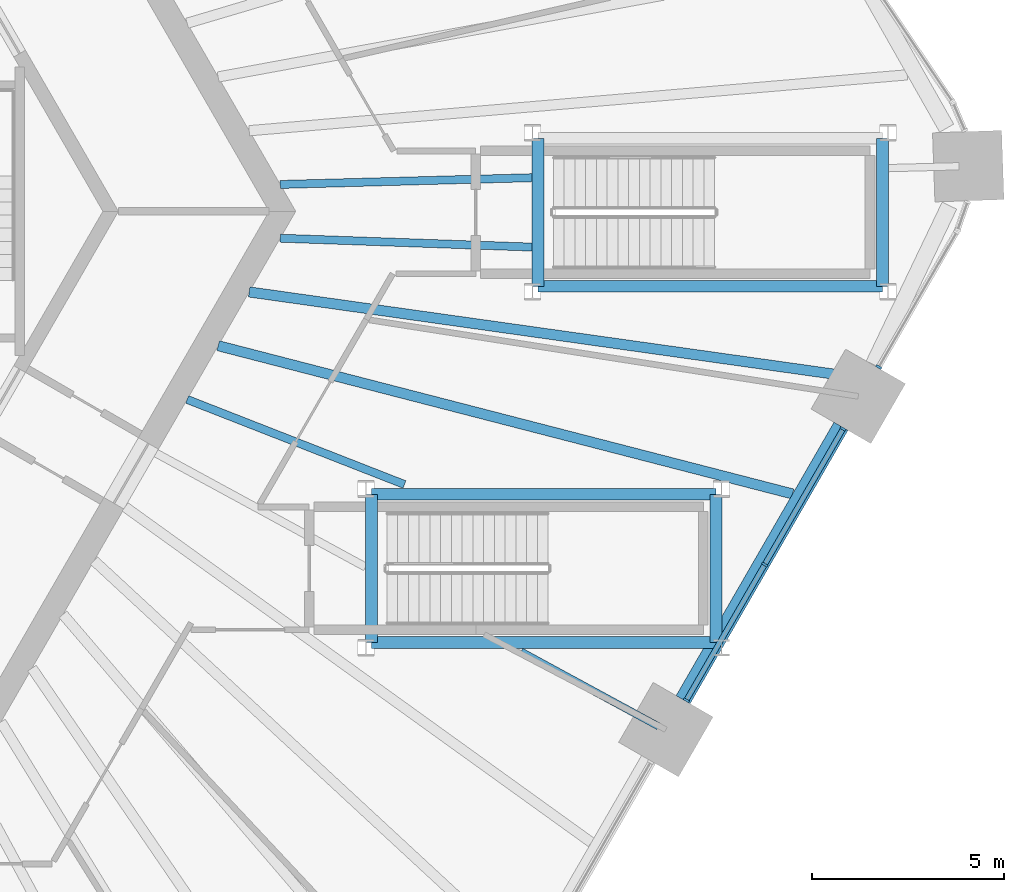
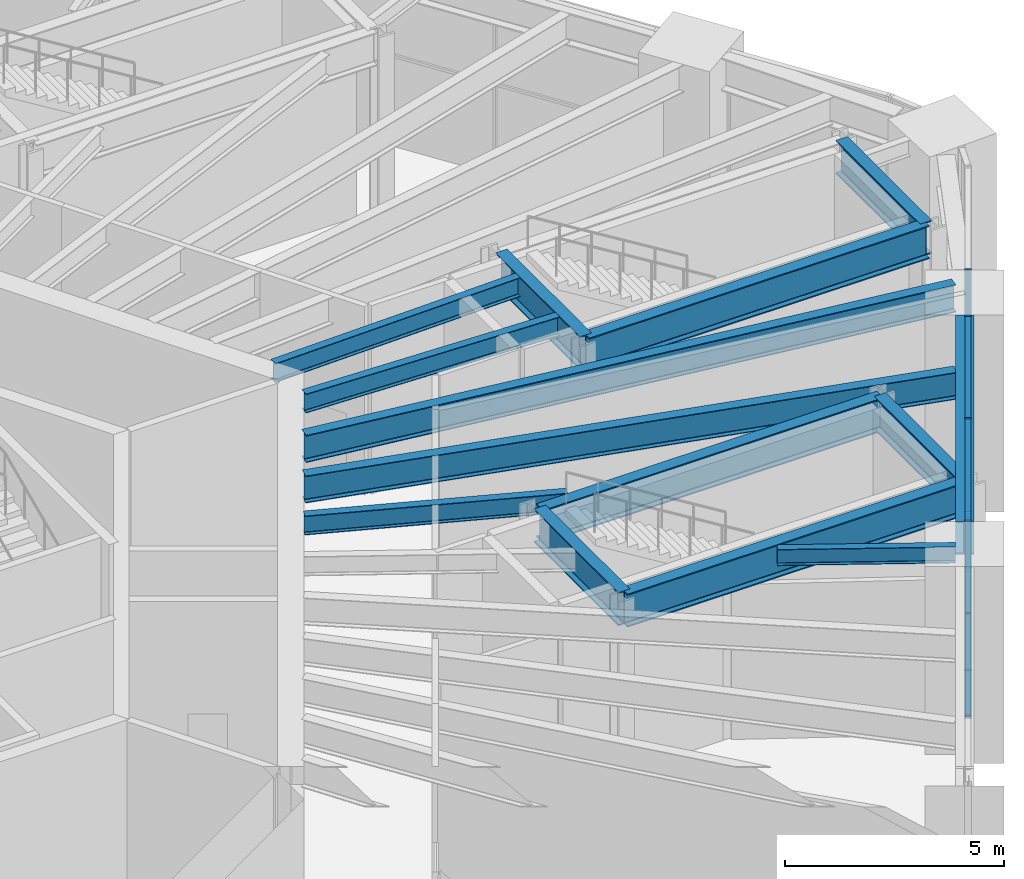
# One storey, part 6 of 30: 14 beams, 8 members, 2 elements without a shape of their own.
"""IFC4 building model written with IfcOpenShell, lengths in metres."""

from ifc_helpers import new_model, si_unit, direction, frame, origin, origin_2d, place, context, subcontext, project, spatial, rectangle, i_section, extrude, material, material_profile, profile_set, type_object, element, aggregate, save


model = new_model("IFC4")

# Units and contexts
model_context = context("Model", 3, precision=1e-05, world=origin(), true_north=direction((0.0, 1.0)))
body_context = subcontext(model_context, "Body", "Model", "MODEL_VIEW")
ifc_project = project(units=[si_unit("LENGTHUNIT", "METRE"), si_unit("AREAUNIT", "SQUARE_METRE"), si_unit("VOLUMEUNIT", "CUBIC_METRE"), si_unit("PLANEANGLEUNIT", "RADIAN"), si_unit("MASSUNIT", "GRAM", prefix="KILO")], contexts=[model_context])

# Site, building, storey
site_placement = place(None, origin())
site = spatial("IfcSite", under=ifc_project, at=site_placement, CompositionType="ELEMENT")
building_placement = place(site_placement, origin())
building = spatial("IfcBuilding", under=site, at=building_placement, Name="Tarnside Tower", CompositionType="ELEMENT")
storey_placement = place(building_placement, frame((0.0, 0.0, 15.0)))
storey = spatial("IfcBuildingStorey", under=building, at=storey_placement, Name="L02", CompositionType="ELEMENT", Elevation=15.0)

# Beams
ifc_material_1 = material(Name="Steel S355", Category="steel")
ifc_material_profile_1 = material_profile(ifc_material_1, i_section(OverallWidth=0.18994140625, OverallDepth=0.453369140625, WebThickness=0.008544921875, FlangeThickness=0.0126953125, FilletRadius=0.01025390625, at=origin_2d()), Name="UB 457x191x67")
ifc_profile_set_1 = profile_set([ifc_material_profile_1], Name="Steel S355")
beam_type_1 = type_object("IfcBeamType", Name="Floor beam UB 457x191x67", PredefinedType="BEAM", material=ifc_profile_set_1)
beam_1_placement = place(storey_placement, frame((25.614013671875, -13.41455078125, 5.023193359375), z_axis=(-0.878558909546, 0.477634004712, 0.0), x_axis=(-0.477634004712, -0.878558909546, 0.0)))
element("IfcBeam", 1, at=beam_1_placement, inside=storey, type_object=beam_type_1, Name="Floor beam F5.05a", PredefinedType="BEAM", context=body_context, shape_type="SweptSolid", body=[
    extrude(i_section(OverallWidth=0.18994140625, OverallDepth=0.453369140625, WebThickness=0.008544921875, FlangeThickness=0.0126953125, FilletRadius=0.01025390625, at=origin_2d()), origin(), (0.0, 0.0, 1.0), 4.07373046875),
])
ifc_material_profile_2 = material_profile(ifc_material_1, i_section(OverallWidth=0.209228515625, OverallDepth=0.533203125, WebThickness=0.010009765625, FlangeThickness=0.015625, FilletRadius=0.0126953125, at=origin_2d()), Name="UB 533x210x92")
ifc_profile_set_2 = profile_set([ifc_material_profile_2], Name="Steel S355")
beam_type_2 = type_object("IfcBeamType", Name="Floor beam UB 533x210x92", PredefinedType="BEAM", material=ifc_profile_set_2)
beam_2_placement = place(storey_placement, frame((18.997802734375, -7.115234375, 4.9833984375), z_axis=(-0.931231520791, 0.364428120053, 0.0), x_axis=(-0.364428120053, -0.931231520791, 0.0)))
element("IfcBeam", 2, at=beam_2_placement, inside=storey, type_object=beam_type_2, Name="Floor beam F5.06", PredefinedType="BEAM", context=body_context, shape_type="SweptSolid", body=[
    extrude(i_section(OverallWidth=0.209228515625, OverallDepth=0.533203125, WebThickness=0.010009765625, FlangeThickness=0.015625, FilletRadius=0.0126953125, at=origin_2d()), origin(), (0.0, 0.0, 1.0), 6.078857421875),
])
beam_3_placement = place(storey_placement, frame((22.322265625, -0.931396484375, 4.9833984375), z_axis=(-0.999378299025, 0.035256424065, 0.0), x_axis=(-0.035256424065, -0.999378299025, 0.0)))
element("IfcBeam", 3, at=beam_3_placement, inside=storey, type_object=beam_type_2, Name="Floor beam F5.09", PredefinedType="BEAM", context=body_context, shape_type="SweptSolid", body=[
    extrude(i_section(OverallWidth=0.209228515625, OverallDepth=0.533203125, WebThickness=0.010009765625, FlangeThickness=0.015625, FilletRadius=0.0126953125, at=origin_2d()), origin(), (0.0, 0.0, 1.0), 6.564697265625),
])
beam_4_placement = place(storey_placement, frame((22.322265625, 0.876220703125, 4.9833984375), z_axis=(-0.999639247492, -0.026858422771, 0.0), x_axis=(0.026858422771, -0.999639247492, 0.0)))
element("IfcBeam", 4, at=beam_4_placement, inside=storey, type_object=beam_type_2, Name="Floor beam C5b", PredefinedType="BEAM", context=body_context, shape_type="SweptSolid", body=[
    extrude(i_section(OverallWidth=0.209228515625, OverallDepth=0.533203125, WebThickness=0.010009765625, FlangeThickness=0.015625, FilletRadius=0.0126953125, at=origin_2d()), origin(), (0.0, 0.0, 1.0), 6.56298828125),
])
ifc_material_profile_3 = material_profile(ifc_material_1, i_section(OverallWidth=0.26513671875, OverallDepth=0.75390625, WebThickness=0.0126953125, FlangeThickness=0.017578125, FilletRadius=0.0166015625, at=origin_2d()), Name="UB 762x267x147")
ifc_profile_set_3 = profile_set([ifc_material_profile_3], Name="Steel S355")
beam_type_3 = type_object("IfcBeamType", Name="Floor beam UB 762x267x147", PredefinedType="BEAM", material=ifc_profile_set_3)
beam_5_placement = place(storey_placement, frame((29.108642578125, -7.36181640625, 4.873046875), z_axis=(-0.968273624565, 0.249892352766, 0.0), x_axis=(-0.249892352766, -0.968273624565, 0.0)))
element("IfcBeam", 5, at=beam_5_placement, inside=storey, type_object=beam_type_3, Name="Floor beam F5.07", PredefinedType="BEAM", context=body_context, shape_type="SweptSolid", body=[
    extrude(i_section(OverallWidth=0.26513671875, OverallDepth=0.75390625, WebThickness=0.0126953125, FlangeThickness=0.017578125, FilletRadius=0.0166015625, at=origin_2d()), origin(), (0.0, 0.0, 1.0), 15.453857421875),
])
ifc_material_profile_4 = material_profile(ifc_material_1, i_section(OverallWidth=0.2666015625, OverallDepth=0.76220703125, WebThickness=0.014404296875, FlangeThickness=0.021484375, FilletRadius=0.0166015625, at=origin_2d()), Name="UB 762x267x173")
ifc_profile_set_4 = profile_set([ifc_material_profile_4], Name="Steel S355")
beam_type_4 = type_object("IfcBeamType", Name="Floor beam UB 762x267x173", PredefinedType="BEAM", material=ifc_profile_set_4)
beam_6_placement = place(storey_placement, frame((30.820068359375, -4.330078125, 4.868896484375), z_axis=(-0.99026754132, 0.139176853707, 0.0), x_axis=(-0.139176853707, -0.99026754132, 0.0)))
element("IfcBeam", 6, at=beam_6_placement, inside=storey, type_object=beam_type_4, Name="Floor beam F5.08", PredefinedType="BEAM", context=body_context, shape_type="SweptSolid", body=[
    extrude(i_section(OverallWidth=0.2666015625, OverallDepth=0.76220703125, WebThickness=0.014404296875, FlangeThickness=0.021484375, FilletRadius=0.0166015625, at=origin_2d()), origin(), (0.0, 0.0, 1.0), 16.022705078125),
])
ifc_material_profile_5 = material_profile(ifc_material_1, i_section(OverallWidth=0.3076171875, OverallDepth=0.926513671875, WebThickness=0.01953125, FlangeThickness=0.031982421875, FilletRadius=0.01904296875, at=origin_2d()), Name="UB 914x305x289")
ifc_profile_set_5 = profile_set([ifc_material_profile_5], Name="Steel S355")
beam_type_5 = type_object("IfcBeamType", Name="Perimeter girder UB 914x305x289", PredefinedType="BEAM", material=ifc_profile_set_5)
beam_7_placement = place(storey_placement, frame((31.453857421875, 1.90380859375, 4.78662109375), z_axis=(0.0, -1.0, 0.0), x_axis=(1.0, 0.0, 0.0)))
element("IfcBeam", 7, at=beam_7_placement, inside=storey, type_object=beam_type_5, Name="Perimeter girder T9", PredefinedType="BEAM", context=body_context, shape_type="SweptSolid", body=[
    extrude(i_section(OverallWidth=0.3076171875, OverallDepth=0.926513671875, WebThickness=0.01953125, FlangeThickness=0.031982421875, FilletRadius=0.01904296875, at=origin_2d()), origin(), (0.0, 0.0, 1.0), 3.857666015625),
])
beam_8_placement = place(storey_placement, frame((31.453857421875, -1.953857421875, 4.78662109375), z_axis=(-1.0, 0.0, 0.0), x_axis=(0.0, -1.0, 0.0)))
element("IfcBeam", 8, at=beam_8_placement, inside=storey, type_object=beam_type_5, Name="Perimeter girder T10", PredefinedType="BEAM", context=body_context, shape_type="SweptSolid", body=[
    extrude(i_section(OverallWidth=0.3076171875, OverallDepth=0.926513671875, WebThickness=0.01953125, FlangeThickness=0.031982421875, FilletRadius=0.01904296875, at=origin_2d()), origin(), (0.0, 0.0, 1.0), 8.9775390625),
])
for number, where, z_axis, x_axis, name in (
    (9, (22.476318359375, -1.953857421875, 4.78662109375), (0.0, 1.0, 0.0), (-1.0, 0.0, 0.0), "Perimeter girder T11"),
    (10, (27.11376953125, -7.37109375, 4.78662109375), (0.0, -1.0, 0.0), (1.0, 0.0, 0.0), "Perimeter girder T17"),
):
    element("IfcBeam", number, at=place(storey_placement, frame(where, z_axis=z_axis, x_axis=x_axis)), inside=storey, type_object=beam_type_5, Name=name, PredefinedType="BEAM", context=body_context, shape_type="SweptSolid", body=[
        extrude(i_section(OverallWidth=0.3076171875, OverallDepth=0.926513671875, WebThickness=0.01953125, FlangeThickness=0.031982421875, FilletRadius=0.01904296875, at=origin_2d()), origin(), (0.0, 0.0, 1.0), 3.857666015625),
    ])
beam_9_placement = place(storey_placement, frame((27.11376953125, -11.228759765625, 4.78662109375), z_axis=(-1.0, 0.0, 0.0), x_axis=(0.0, -1.0, 0.0)))
element("IfcBeam", 11, at=beam_9_placement, inside=storey, type_object=beam_type_5, Name="Perimeter girder T18", PredefinedType="BEAM", context=body_context, shape_type="SweptSolid", body=[
    extrude(i_section(OverallWidth=0.3076171875, OverallDepth=0.926513671875, WebThickness=0.01953125, FlangeThickness=0.031982421875, FilletRadius=0.01904296875, at=origin_2d()), origin(), (0.0, 0.0, 1.0), 8.9775390625),
])
beam_10_placement = place(storey_placement, frame((18.13623046875, -11.228759765625, 4.78662109375), z_axis=(0.0, 1.0, 0.0), x_axis=(-1.0, 0.0, 0.0)))
element("IfcBeam", 12, at=beam_10_placement, inside=storey, type_object=beam_type_5, Name="Perimeter girder T19", PredefinedType="BEAM", context=body_context, shape_type="SweptSolid", body=[
    extrude(i_section(OverallWidth=0.3076171875, OverallDepth=0.926513671875, WebThickness=0.01953125, FlangeThickness=0.031982421875, FilletRadius=0.01904296875, at=origin_2d()), origin(), (0.0, 0.0, 1.0), 3.857666015625),
])
beam_11_placement = place(storey_placement, frame((18.13623046875, -7.37109375, 4.78662109375), z_axis=(1.0, 0.0, 0.0), x_axis=(0.0, 1.0, 0.0)))
element("IfcBeam", 13, at=beam_11_placement, inside=storey, type_object=beam_type_5, Name="Perimeter girder T20", PredefinedType="BEAM", context=body_context, shape_type="SweptSolid", body=[
    extrude(i_section(OverallWidth=0.3076171875, OverallDepth=0.926513671875, WebThickness=0.01953125, FlangeThickness=0.031982421875, FilletRadius=0.01904296875, at=origin_2d()), origin(), (0.0, 0.0, 1.0), 8.9775390625),
])
ifc_material_2 = material(Name="Steel S460", Category="steel")
ifc_material_profile_6 = material_profile(ifc_material_2, i_section(OverallWidth=0.42041015625, OverallDepth=0.9208984375, WebThickness=0.021484375, FlangeThickness=0.03662109375, FilletRadius=0.024169921875, at=origin_2d()), Name="UB 914x419x388")
ifc_profile_set_6 = profile_set([ifc_material_profile_6], Name="Steel S460")
beam_type_6 = type_object("IfcBeamType", Name="Perimeter girder UB 914x419x388", PredefinedType="BEAM", material=ifc_profile_set_6)
beam_12_placement = place(storey_placement, frame((26.2568359375, -12.7216796875, 4.78955078125), z_axis=(0.500002567197, 0.866023921607, 0.0), x_axis=(-0.866023921607, 0.500002567197, 0.0)))
element("IfcBeam", 14, at=beam_12_placement, inside=storey, type_object=beam_type_6, Name="Perimeter girder M18", PredefinedType="BEAM", context=body_context, shape_type="SweptSolid", body=[
    extrude(i_section(OverallWidth=0.42041015625, OverallDepth=0.9208984375, WebThickness=0.021484375, FlangeThickness=0.03662109375, FilletRadius=0.024169921875, at=origin_2d()), origin(), (0.0, 0.0, 1.0), 8.2236328125),
])

# Curtain wall, members
ifc_material_3 = material(Name="Retail shopfront glazing wall", Category="glass")
curtain_wall_type = type_object("IfcCurtainWallType", Name="Retail shopfront glazing wall", PredefinedType="NOTDEFINED", material=ifc_material_3)
curtain_wall_1_placement = place(storey_placement, origin())
curtain_wall_1 = element("IfcCurtainWall", 15, at=curtain_wall_1_placement, inside=storey, type_object=curtain_wall_type, Name="Retail shopfront glazing L02 17.0", PredefinedType="NOTDEFINED")
ifc_material_4 = material(Name="Aluminium alloy 6063", Category="aluminium")
ifc_material_profile_7 = material_profile(ifc_material_4, rectangle(XDim=0.159912109375, YDim=0.06005859375, at=origin_2d()), Name="Retail shopfront glazing mullion 60 x 160")
ifc_profile_set_7 = profile_set([ifc_material_profile_7], Name="Aluminium alloy 6063")
member_type_1 = type_object("IfcMemberType", Name="Retail shopfront glazing mullion 60 x 160", PredefinedType="MULLION", material=ifc_profile_set_7)
member_1_placement = place(storey_placement, frame((26.341064453125, -12.73583984375, -0.25), z_axis=(0.0, 0.0, 1.0), x_axis=(-0.866025403741, 0.500000000076, 0.0)))
member_1 = element("IfcMember", 16, at=member_1_placement, type_object=member_type_1, Name="CW2 mullion 1", PredefinedType="MULLION", context=body_context, shape_type="SweptSolid", body=[
    extrude(rectangle(XDim=0.159912109375, YDim=0.06005859375, at=origin_2d()), origin(), (0.0, 0.0, 1.0), 5.5),
])
member_2_placement = place(storey_placement, frame((28.382080078125, -9.20068359375, -0.25), z_axis=(0.0, 0.0, 1.0), x_axis=(-0.866025403741, 0.500000000076, 0.0)))
member_2 = element("IfcMember", 17, at=member_2_placement, type_object=member_type_1, Name="CW2 mullion 2", PredefinedType="MULLION", context=body_context, shape_type="SweptSolid", body=[
    extrude(rectangle(XDim=0.159912109375, YDim=0.06005859375, at=origin_2d()), origin(), (0.0, 0.0, 1.0), 5.5),
])
member_3_placement = place(storey_placement, frame((30.423095703125, -5.665771484375, -0.25), z_axis=(0.0, 0.0, 1.0), x_axis=(-0.866025403741, 0.500000000076, 0.0)))
member_3 = element("IfcMember", 18, at=member_3_placement, type_object=member_type_1, Name="CW2 mullion 3", PredefinedType="MULLION", context=body_context, shape_type="SweptSolid", body=[
    extrude(rectangle(XDim=0.159912109375, YDim=0.06005859375, at=origin_2d()), origin(), (0.0, 0.0, 1.0), 5.5),
])

# Curtain wall, member
curtain_wall_2_placement = place(storey_placement, origin())
curtain_wall_2 = element("IfcCurtainWall", 19, at=curtain_wall_2_placement, inside=storey, type_object=curtain_wall_type, Name="Retail shopfront glazing L02 18.0", PredefinedType="NOTDEFINED")
member_4_placement = place(storey_placement, frame((31.35302734375, -4.054931640625, -0.25), z_axis=(0.0, 0.0, 1.0), x_axis=(-0.866025403872, 0.499999999849, 0.0)))
member_4 = element("IfcMember", 20, at=member_4_placement, type_object=member_type_1, Name="CW2 mullion 1", PredefinedType="MULLION", context=body_context, shape_type="SweptSolid", body=[
    extrude(rectangle(XDim=0.159912109375, YDim=0.06005859375, at=origin_2d()), origin(), (0.0, 0.0, 1.0), 5.5),
])
aggregate(curtain_wall_2, [member_4])

# Member
ifc_material_profile_8 = material_profile(ifc_material_4, rectangle(XDim=0.139892578125, YDim=0.06005859375, at=origin_2d()), Name="Retail shopfront glazing transom 60 x 140")
ifc_profile_set_8 = profile_set([ifc_material_profile_8], Name="Aluminium alloy 6063")
member_type_2 = type_object("IfcMemberType", Name="Retail shopfront glazing transom 60 x 140", PredefinedType="USERDEFINED", material=ifc_profile_set_8)
member_5_placement = place(storey_placement, frame((26.356201171875, -12.709716796875, -0.219970703125), z_axis=(0.500023722852, 0.866011706956, 0.0), x_axis=(-0.866011706956, 0.500023722852, 0.0)))
member_5 = element("IfcMember", 21, at=member_5_placement, type_object=member_type_2, Name="CW2 transom 1.1", ObjectType="TRANSOM", PredefinedType="USERDEFINED", context=body_context, shape_type="SweptSolid", body=[
    extrude(rectangle(XDim=0.139892578125, YDim=0.06005859375, at=origin_2d()), origin(), (0.0, 0.0, 1.0), 4.021728515625),
])

member_6_placement = place(storey_placement, frame((26.356201171875, -12.709716796875, 5.219970703125), z_axis=(0.500023722852, 0.866011706956, 0.0), x_axis=(-0.866011706956, 0.500023722852, 0.0)))
member_6 = element("IfcMember", 22, at=member_6_placement, type_object=member_type_2, Name="CW2 transom 1.2", ObjectType="TRANSOM", PredefinedType="USERDEFINED", context=body_context, shape_type="SweptSolid", body=[
    extrude(rectangle(XDim=0.139892578125, YDim=0.06005859375, at=origin_2d()), origin(), (0.0, 0.0, 1.0), 4.021728515625),
])

member_7_placement = place(storey_placement, frame((28.39697265625, -9.1748046875, -0.219970703125), z_axis=(0.500023722852, 0.866011706956, 0.0), x_axis=(-0.866011706956, 0.500023722852, 0.0)))
member_7 = element("IfcMember", 23, at=member_7_placement, type_object=member_type_2, Name="CW2 transom 2.1", ObjectType="TRANSOM", PredefinedType="USERDEFINED", context=body_context, shape_type="SweptSolid", body=[
    extrude(rectangle(XDim=0.139892578125, YDim=0.06005859375, at=origin_2d()), origin(), (0.0, 0.0, 1.0), 4.021728515625),
])

member_8_placement = place(storey_placement, frame((28.39697265625, -9.1748046875, 5.219970703125), z_axis=(0.500023722852, 0.866011706956, 0.0), x_axis=(-0.866011706956, 0.500023722852, 0.0)))
member_8 = element("IfcMember", 24, at=member_8_placement, type_object=member_type_2, Name="CW2 transom 2.2", ObjectType="TRANSOM", PredefinedType="USERDEFINED", context=body_context, shape_type="SweptSolid", body=[
    extrude(rectangle(XDim=0.139892578125, YDim=0.06005859375, at=origin_2d()), origin(), (0.0, 0.0, 1.0), 4.021728515625),
])

aggregate(curtain_wall_1, [member_1, member_2, member_3, member_5, member_6, member_7, member_8])

save(model, "model.ifc")
